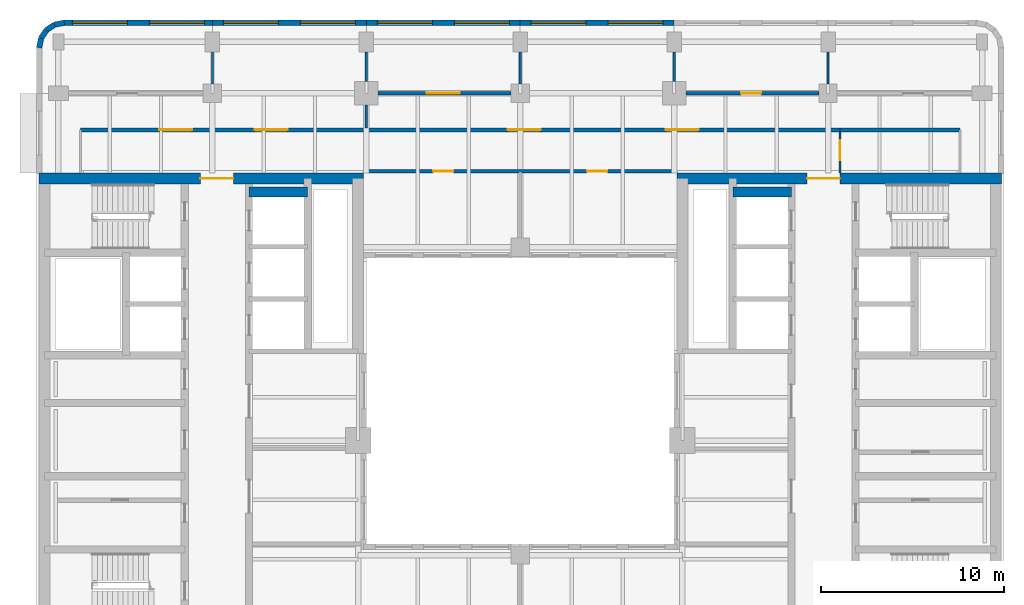
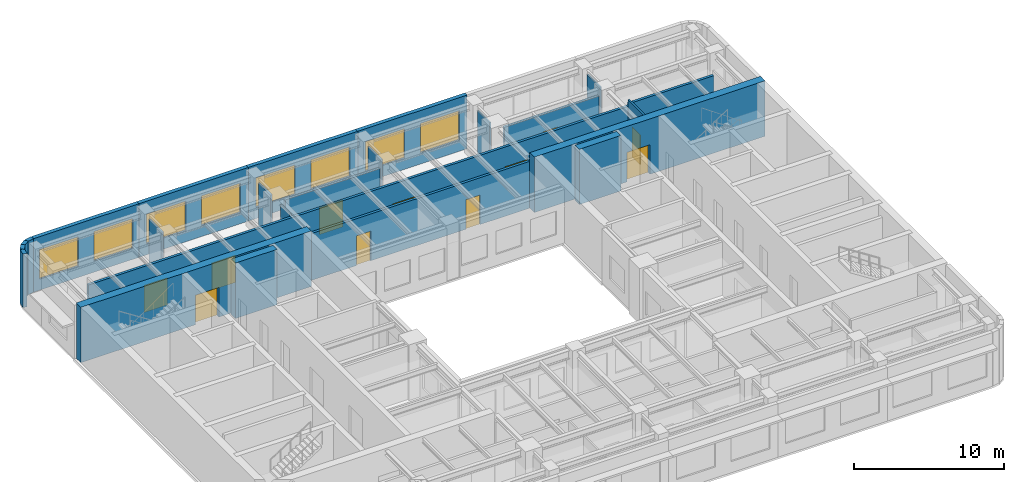
# One storey, part 7 of 11: 24 walls, 11 doors, 8 windows, 19 openings.
"""IFC4 building model written with IfcOpenShell, lengths in metres."""

from ifc_helpers import new_model, si_unit, direction, frame, frame_2d, origin, place, context, subcontext, project, spatial, rectangle, extrude, material, layer, layer_set, type_object, element, fill, save


model = new_model("IFC4")

# Units and contexts
model_context = context("Model", 3, precision=1e-05, world=origin(), true_north=direction((0.0, 1.0)))
body_context = subcontext(model_context, "Body", "Model", "MODEL_VIEW")
ifc_project = project(units=[si_unit("LENGTHUNIT", "METRE"), si_unit("AREAUNIT", "SQUARE_METRE"), si_unit("VOLUMEUNIT", "CUBIC_METRE"), si_unit("PLANEANGLEUNIT", "RADIAN"), si_unit("MASSUNIT", "GRAM", prefix="KILO")], contexts=[model_context])

# Site, building, storey
site_placement = place(None, origin())
site = spatial("IfcSite", under=ifc_project, at=site_placement, CompositionType="ELEMENT")
building_placement = place(site_placement, origin())
building = spatial("IfcBuilding", under=site, at=building_placement, Name="Claustro Exchange Tower", CompositionType="ELEMENT")
storey_placement = place(building_placement, frame((0.0, 0.0, 263.699951171875)))
storey = spatial("IfcBuildingStorey", under=building, at=storey_placement, Name="L60", CompositionType="ELEMENT", Elevation=263.699951171875)

# Walls
ifc_material_1 = material(Name="Laminated glass in aluminium frame", Category="aluminium")
ifc_layer_1 = layer(ifc_material_1, 0.1201171875)
ifc_layer_set_1 = layer_set([ifc_layer_1], Name="Laminated glass in aluminium frame")
wall_type_1 = type_object("IfcWallType", Name="P2 120 glazed partition", PredefinedType="PARTITIONING", material=ifc_layer_set_1)
wall_1_placement = place(storey_placement, frame((8.39990234375, 42.4990234375, 0.0), z_axis=(0.0, 0.0, 1.0), x_axis=(0.0, 1.0, 0.0)))
element("IfcWall", 1, at=wall_1_placement, inside=storey, type_object=wall_type_1, Name="Partition P2 L60", PredefinedType="PARTITIONING", context=body_context, shape_type="SweptSolid", body=[
    extrude(rectangle(XDim=1.751953125, YDim=0.1201171875, at=frame_2d((0.8759765625, 0.0))), origin(), (0.0, 0.0, 1.0), 3.989990234375),
])
wall_2_placement = place(storey_placement, frame((16.800048828125, 42.64892578125, 0.0), z_axis=(0.0, 0.0, 1.0), x_axis=(0.0, 1.0, 0.0)))
element("IfcWall", 2, at=wall_2_placement, inside=storey, type_object=wall_type_1, Name="Partition P2 L60", PredefinedType="PARTITIONING", context=body_context, shape_type="SweptSolid", body=[
    extrude(rectangle(XDim=1.60205078125, YDim=0.1201171875, at=frame_2d((0.801025390625, 0.0))), origin(), (0.0, 0.0, 1.0), 3.989990234375),
])
wall_3_placement = place(storey_placement, frame((25.199951171875, 42.4990234375, 0.0), z_axis=(0.0, 0.0, 1.0), x_axis=(0.0, 1.0, 0.0)))
element("IfcWall", 3, at=wall_3_placement, inside=storey, type_object=wall_type_1, Name="Partition P2 L60", PredefinedType="PARTITIONING", context=body_context, shape_type="SweptSolid", body=[
    extrude(rectangle(XDim=1.751953125, YDim=0.1201171875, at=frame_2d((0.8759765625, 0.0))), origin(), (0.0, 0.0, 1.0), 3.989990234375),
])
wall_4_placement = place(storey_placement, frame((33.60009765625, 42.64892578125, 0.0), z_axis=(0.0, 0.0, 1.0), x_axis=(0.0, 1.0, 0.0)))
element("IfcWall", 4, at=wall_4_placement, inside=storey, type_object=wall_type_1, Name="Partition P2 L60", PredefinedType="PARTITIONING", context=body_context, shape_type="SweptSolid", body=[
    extrude(rectangle(XDim=1.60205078125, YDim=0.1201171875, at=frame_2d((0.801025390625, 0.0))), origin(), (0.0, 0.0, 1.0), 3.989990234375),
])
wall_5_placement = place(storey_placement, frame((42.0, 42.4990234375, 0.0), z_axis=(0.0, 0.0, 1.0), x_axis=(0.0, 1.0, 0.0)))
element("IfcWall", 5, at=wall_5_placement, inside=storey, type_object=wall_type_1, Name="Partition P2 L60", PredefinedType="PARTITIONING", context=body_context, shape_type="SweptSolid", body=[
    extrude(rectangle(XDim=1.751953125, YDim=0.1201171875, at=frame_2d((0.8759765625, 0.0))), origin(), (0.0, 0.0, 1.0), 3.989990234375),
])
wall_6_placement = place(storey_placement, frame((16.800048828125, 40.097900390625, 0.0), z_axis=(0.0, 0.0, 1.0), x_axis=(0.0, 1.0, 0.0)))
element("IfcWall", 6, at=wall_6_placement, inside=storey, type_object=wall_type_1, Name="Partition P2 L60", PredefinedType="PARTITIONING", context=body_context, shape_type="SweptSolid", body=[
    extrude(rectangle(XDim=1.253173828125, YDim=0.1201171875, at=frame_2d((0.62646484375, 0.0))), origin(), (0.0, 0.0, 1.0), 3.989990234375),
])

# Wall, opening, door
wall_7_placement = place(storey_placement, frame((42.64990234375, 37.64794921875, 0.0), z_axis=(0.0, 0.0, 1.0), x_axis=(0.0, 1.0, 0.0)))
wall_7 = element("IfcWall", 7, at=wall_7_placement, inside=storey, type_object=wall_type_1, Name="Partition P2 L60", PredefinedType="PARTITIONING", context=body_context, shape_type="SweptSolid", body=[
    extrude(rectangle(XDim=2.254150390625, YDim=0.1201171875, at=frame_2d((1.126953125, 0.0))), origin(), (0.0, 0.0, 1.0), 4.35009765625),
])
opening_1_placement = place(wall_7_placement, frame((0.701904296875, 0.0, 0.0)))
opening_1 = element("IfcOpeningElement", 8, at=opening_1_placement, cuts=wall_7, Name="Opening D8", PredefinedType="OPENING", context=body_context, shape_type="SweptSolid", body=[
    extrude(rectangle(XDim=1.10009765625, YDim=2.39990234375, at=frame_2d((0.550048828125, 1.199951171875))), frame((0.0, 0.070068359375, 0.0), z_axis=(0.0, -1.0, 0.0), x_axis=(1.0, 0.0, 0.0)), (0.0, 0.0, 1.0), 0.14013671875),
])
ifc_material_2 = material(Name="Timber door, walnut veneer", Category="wood")
door_type_1 = type_object("IfcDoorType", Name="D8 1100 x 2400 executive door", OperationType="SINGLE_SWING_LEFT", PredefinedType="DOOR", material=ifc_material_2)
door_1_placement = place(opening_1_placement, frame((1.10009765625, 0.0, 0.0), z_axis=(0.0, 0.0, 1.0), x_axis=(-1.0, 0.0, 0.0)))
door_1 = element("IfcDoor", 9, at=door_1_placement, inside=storey, type_object=door_type_1, Name="Door D8 L60", OperationType="SINGLE_SWING_LEFT", OverallHeight=2.39990234375, OverallWidth=1.10009765625, PredefinedType="DOOR", context=body_context, shape_type="SweptSolid", body=[
    extrude(rectangle(XDim=1.10009765625, YDim=2.39990234375, at=frame_2d((0.550048828125, 1.199951171875))), frame((0.0, 0.02490234375, 0.0), z_axis=(0.0, -1.0, 0.0), x_axis=(1.0, 0.0, 0.0)), (0.0, 0.0, 1.0), 0.050048828125),
])
fill(opening_1, door_1)

ifc_material_3 = material(Name="Twin-skin gypsum board on steel studs, mineral wool", Category="steel")
ifc_layer_2 = layer(ifc_material_3, 0.199951171875)
ifc_layer_set_2 = layer_set([ifc_layer_2], Name="Twin-skin gypsum board on steel studs, mineral wool")
wall_type_2 = type_object("IfcWallType", Name="P3 200 acoustic partition", PredefinedType="PARTITIONING", material=ifc_layer_set_2)
wall_8_placement = place(storey_placement, frame((17.448974609375, 42.0, 0.0), z_axis=(0.0, 0.0, 1.0), x_axis=(1.0, 0.0, 0.0)))
wall_8 = element("IfcWall", 10, at=wall_8_placement, inside=storey, type_object=wall_type_2, Name="Partition P3 L60", PredefinedType="PARTITIONING", context=body_context, shape_type="SweptSolid", body=[
    extrude(rectangle(XDim=7.251953125, YDim=0.199951171875, at=frame_2d((3.6259765625, 0.0))), origin(), (0.0, 0.0, 1.0), 3.800048828125),
])
opening_2_placement = place(wall_8_placement, frame((2.65087890625, 0.0, 0.0)))
opening_2 = element("IfcOpeningElement", 11, at=opening_2_placement, cuts=wall_8, Name="Opening D2", PredefinedType="OPENING", context=body_context, shape_type="SweptSolid", body=[
    extrude(rectangle(XDim=1.800048828125, YDim=2.199951171875, at=frame_2d((0.89990234375, 1.10009765625))), frame((0.0, 0.10986328125, 0.0), z_axis=(0.0, -1.0, 0.0), x_axis=(1.0, 0.0, 0.0)), (0.0, 0.0, 1.0), 0.219970703125),
])
ifc_material_4 = material(Name="Timber door, oak veneer", Category="wood")
door_type_2 = type_object("IfcDoorType", Name="D2 1800 x 2200 double door", OperationType="DOUBLE_DOOR_SINGLE_SWING", PredefinedType="DOOR", material=ifc_material_4)
door_2_placement = place(opening_2_placement, origin())
door_2 = element("IfcDoor", 12, at=door_2_placement, inside=storey, type_object=door_type_2, Name="Double door D2 L60", OperationType="DOUBLE_DOOR_SINGLE_SWING", OverallHeight=2.199951171875, OverallWidth=1.800048828125, PredefinedType="DOOR", context=body_context, shape_type="SweptSolid", body=[
    extrude(rectangle(XDim=1.800048828125, YDim=2.199951171875, at=frame_2d((0.89990234375, 1.10009765625))), frame((0.0, 0.02490234375, 0.0), z_axis=(0.0, -1.0, 0.0), x_axis=(1.0, 0.0, 0.0)), (0.0, 0.0, 1.0), 0.050048828125),
])
fill(opening_2, door_2)

wall_9_placement = place(storey_placement, frame((34.2490234375, 42.0, 0.0), z_axis=(0.0, 0.0, 1.0), x_axis=(1.0, 0.0, 0.0)))
wall_9 = element("IfcWall", 13, at=wall_9_placement, inside=storey, type_object=wall_type_2, Name="Partition P3 L60", PredefinedType="PARTITIONING", context=body_context, shape_type="SweptSolid", body=[
    extrude(rectangle(XDim=7.251953125, YDim=0.199951171875, at=frame_2d((3.6259765625, 0.0))), origin(), (0.0, 0.0, 1.0), 3.800048828125),
])
opening_3_placement = place(wall_9_placement, frame((3.0009765625, 0.0, 0.0)))
opening_3 = element("IfcOpeningElement", 14, at=opening_3_placement, cuts=wall_9, Name="Opening D8", PredefinedType="OPENING", context=body_context, shape_type="SweptSolid", body=[
    extrude(rectangle(XDim=1.10009765625, YDim=2.39990234375, at=frame_2d((0.550048828125, 1.199951171875))), frame((0.0, 0.10986328125, 0.0), z_axis=(0.0, -1.0, 0.0), x_axis=(1.0, 0.0, 0.0)), (0.0, 0.0, 1.0), 0.219970703125),
])
door_3_placement = place(opening_3_placement, origin())
door_3 = element("IfcDoor", 15, at=door_3_placement, inside=storey, type_object=door_type_1, Name="Door D8 L60", OperationType="SINGLE_SWING_RIGHT", OverallHeight=2.39990234375, OverallWidth=1.10009765625, PredefinedType="DOOR", context=body_context, shape_type="SweptSolid", body=[
    extrude(rectangle(XDim=1.10009765625, YDim=2.39990234375, at=frame_2d((0.550048828125, 1.199951171875))), frame((0.0, 0.02490234375, 0.0), z_axis=(0.0, -1.0, 0.0), x_axis=(1.0, 0.0, 0.0)), (0.0, 0.0, 1.0), 0.050048828125),
])
fill(opening_3, door_3)

# Wall, openings, doors
wall_10_placement = place(storey_placement, frame((1.199951171875, 40.0, 0.0), z_axis=(0.0, 0.0, 1.0), x_axis=(1.0, 0.0, 0.0)))
wall_10 = element("IfcWall", 16, at=wall_10_placement, inside=storey, type_object=wall_type_2, Name="Partition P3 L60", PredefinedType="PARTITIONING", context=body_context, shape_type="SweptSolid", body=[
    extrude(rectangle(XDim=41.4521484375, YDim=0.199951171875, at=frame_2d((20.72607421875, 0.0))), origin(), (0.0, 0.0, 1.0), 3.800048828125),
])
opening_4_placement = place(wall_10_placement, frame((4.300048828125, 0.0, 0.0)))
opening_4 = element("IfcOpeningElement", 17, at=opening_4_placement, cuts=wall_10, Name="Opening D2", PredefinedType="OPENING", context=body_context, shape_type="SweptSolid", body=[
    extrude(rectangle(XDim=1.800048828125, YDim=2.199951171875, at=frame_2d((0.89990234375, 1.10009765625))), frame((0.0, 0.10986328125, 0.0), z_axis=(0.0, -1.0, 0.0), x_axis=(1.0, 0.0, 0.0)), (0.0, 0.0, 1.0), 0.219970703125),
])
opening_5_placement = place(wall_10_placement, frame((9.5, 0.0, 0.0)))
opening_5 = element("IfcOpeningElement", 18, at=opening_5_placement, cuts=wall_10, Name="Opening D2", PredefinedType="OPENING", context=body_context, shape_type="SweptSolid", body=[
    extrude(rectangle(XDim=1.800048828125, YDim=2.199951171875, at=frame_2d((0.89990234375, 1.10009765625))), frame((0.0, 0.10986328125, 0.0), z_axis=(0.0, -1.0, 0.0), x_axis=(1.0, 0.0, 0.0)), (0.0, 0.0, 1.0), 0.219970703125),
])
opening_6_placement = place(wall_10_placement, frame((23.316650390625, 0.0, 0.0)))
opening_6 = element("IfcOpeningElement", 19, at=opening_6_placement, cuts=wall_10, Name="Opening D2", PredefinedType="OPENING", context=body_context, shape_type="SweptSolid", body=[
    extrude(rectangle(XDim=1.800048828125, YDim=2.199951171875, at=frame_2d((0.89990234375, 1.10009765625))), frame((0.0, 0.10986328125, 0.0), z_axis=(0.0, -1.0, 0.0), x_axis=(1.0, 0.0, 0.0)), (0.0, 0.0, 1.0), 0.219970703125),
])
opening_7_placement = place(wall_10_placement, frame((31.933349609375, 0.0, 0.0)))
opening_7 = element("IfcOpeningElement", 20, at=opening_7_placement, cuts=wall_10, Name="Opening D2", PredefinedType="OPENING", context=body_context, shape_type="SweptSolid", body=[
    extrude(rectangle(XDim=1.800048828125, YDim=2.199951171875, at=frame_2d((0.89990234375, 1.10009765625))), frame((0.0, 0.10986328125, 0.0), z_axis=(0.0, -1.0, 0.0), x_axis=(1.0, 0.0, 0.0)), (0.0, 0.0, 1.0), 0.219970703125),
])
door_4_placement = place(opening_4_placement, origin())
door_4 = element("IfcDoor", 21, at=door_4_placement, inside=storey, type_object=door_type_2, Name="Double door D2 L60", OperationType="DOUBLE_DOOR_SINGLE_SWING", OverallHeight=2.199951171875, OverallWidth=1.800048828125, PredefinedType="DOOR", context=body_context, shape_type="SweptSolid", body=[
    extrude(rectangle(XDim=1.800048828125, YDim=2.199951171875, at=frame_2d((0.89990234375, 1.10009765625))), frame((0.0, 0.02490234375, 0.0), z_axis=(0.0, -1.0, 0.0), x_axis=(1.0, 0.0, 0.0)), (0.0, 0.0, 1.0), 0.050048828125),
])
fill(opening_4, door_4)
door_5_placement = place(opening_5_placement, origin())
door_5 = element("IfcDoor", 22, at=door_5_placement, inside=storey, type_object=door_type_2, Name="Double door D2 L60", OperationType="DOUBLE_DOOR_SINGLE_SWING", OverallHeight=2.199951171875, OverallWidth=1.800048828125, PredefinedType="DOOR", context=body_context, shape_type="SweptSolid", body=[
    extrude(rectangle(XDim=1.800048828125, YDim=2.199951171875, at=frame_2d((0.89990234375, 1.10009765625))), frame((0.0, 0.02490234375, 0.0), z_axis=(0.0, -1.0, 0.0), x_axis=(1.0, 0.0, 0.0)), (0.0, 0.0, 1.0), 0.050048828125),
])
fill(opening_5, door_5)
door_6_placement = place(opening_6_placement, origin())
door_6 = element("IfcDoor", 23, at=door_6_placement, inside=storey, type_object=door_type_2, Name="Double door D2 L60", OperationType="DOUBLE_DOOR_SINGLE_SWING", OverallHeight=2.199951171875, OverallWidth=1.800048828125, PredefinedType="DOOR", context=body_context, shape_type="SweptSolid", body=[
    extrude(rectangle(XDim=1.800048828125, YDim=2.199951171875, at=frame_2d((0.89990234375, 1.10009765625))), frame((0.0, 0.02490234375, 0.0), z_axis=(0.0, -1.0, 0.0), x_axis=(1.0, 0.0, 0.0)), (0.0, 0.0, 1.0), 0.050048828125),
])
fill(opening_6, door_6)
door_7_placement = place(opening_7_placement, origin())
door_7 = element("IfcDoor", 24, at=door_7_placement, inside=storey, type_object=door_type_2, Name="Double door D2 L60", OperationType="DOUBLE_DOOR_SINGLE_SWING", OverallHeight=2.199951171875, OverallWidth=1.800048828125, PredefinedType="DOOR", context=body_context, shape_type="SweptSolid", body=[
    extrude(rectangle(XDim=1.800048828125, YDim=2.199951171875, at=frame_2d((0.89990234375, 1.10009765625))), frame((0.0, 0.02490234375, 0.0), z_axis=(0.0, -1.0, 0.0), x_axis=(1.0, 0.0, 0.0)), (0.0, 0.0, 1.0), 0.050048828125),
])
fill(opening_7, door_7)

# Wall
wall_11_placement = place(storey_placement, frame((42.64794921875, 40.0, 0.0), z_axis=(0.0, 0.0, 1.0), x_axis=(1.0, 0.0, 0.0)))
element("IfcWall", 25, at=wall_11_placement, inside=storey, type_object=wall_type_2, Name="Partition P3 L60", PredefinedType="PARTITIONING", context=body_context, shape_type="SweptSolid", body=[
    extrude(rectangle(XDim=6.552001953125, YDim=0.199951171875, at=frame_2d((3.27587890625, 0.0))), origin(), (0.0, 0.0, 1.0), 3.989990234375),
])

# Wall, openings, doors
wall_12_placement = place(storey_placement, frame((16.64990234375, 37.75, 0.0), z_axis=(0.0, 0.0, 1.0), x_axis=(1.0, 0.0, 0.0)))
wall_12 = element("IfcWall", 26, at=wall_12_placement, inside=storey, type_object=wall_type_2, Name="Partition P3 L60", PredefinedType="PARTITIONING", context=body_context, shape_type="SweptSolid", body=[
    extrude(rectangle(XDim=17.10009765625, YDim=0.199951171875, at=frame_2d((8.550048828125, 0.0))), origin(), (0.0, 0.0, 1.0), 3.800048828125),
])
opening_8_placement = place(wall_12_placement, frame((3.80029296875, 0.0, 0.0)))
opening_8 = element("IfcOpeningElement", 27, at=opening_8_placement, cuts=wall_12, Name="Opening D8", PredefinedType="OPENING", context=body_context, shape_type="SweptSolid", body=[
    extrude(rectangle(XDim=1.10009765625, YDim=2.39990234375, at=frame_2d((0.550048828125, 1.199951171875))), frame((0.0, 0.10986328125, 0.0), z_axis=(0.0, -1.0, 0.0), x_axis=(1.0, 0.0, 0.0)), (0.0, 0.0, 1.0), 0.219970703125),
])
opening_9_placement = place(wall_12_placement, frame((12.2001953125, 0.0, 0.0)))
opening_9 = element("IfcOpeningElement", 28, at=opening_9_placement, cuts=wall_12, Name="Opening D8", PredefinedType="OPENING", context=body_context, shape_type="SweptSolid", body=[
    extrude(rectangle(XDim=1.10009765625, YDim=2.39990234375, at=frame_2d((0.550048828125, 1.199951171875))), frame((0.0, 0.10986328125, 0.0), z_axis=(0.0, -1.0, 0.0), x_axis=(1.0, 0.0, 0.0)), (0.0, 0.0, 1.0), 0.219970703125),
])
door_8_placement = place(opening_8_placement, frame((1.10009765625, 0.0, 0.0), z_axis=(0.0, 0.0, 1.0), x_axis=(-1.0, 0.0, 0.0)))
door_8 = element("IfcDoor", 29, at=door_8_placement, inside=storey, type_object=door_type_1, Name="Door D8 L60", OperationType="SINGLE_SWING_LEFT", OverallHeight=2.39990234375, OverallWidth=1.10009765625, PredefinedType="DOOR", context=body_context, shape_type="SweptSolid", body=[
    extrude(rectangle(XDim=1.10009765625, YDim=2.39990234375, at=frame_2d((0.550048828125, 1.199951171875))), frame((0.0, 0.02490234375, 0.0), z_axis=(0.0, -1.0, 0.0), x_axis=(1.0, 0.0, 0.0)), (0.0, 0.0, 1.0), 0.050048828125),
])
fill(opening_8, door_8)
door_9_placement = place(opening_9_placement, frame((1.10009765625, 0.0, 0.0), z_axis=(0.0, 0.0, 1.0), x_axis=(-1.0, 0.0, 0.0)))
door_9 = element("IfcDoor", 30, at=door_9_placement, inside=storey, type_object=door_type_1, Name="Door D8 L60", OperationType="SINGLE_SWING_LEFT", OverallHeight=2.39990234375, OverallWidth=1.10009765625, PredefinedType="DOOR", context=body_context, shape_type="SweptSolid", body=[
    extrude(rectangle(XDim=1.10009765625, YDim=2.39990234375, at=frame_2d((0.550048828125, 1.199951171875))), frame((0.0, 0.02490234375, 0.0), z_axis=(0.0, -1.0, 0.0), x_axis=(1.0, 0.0, 0.0)), (0.0, 0.0, 1.0), 0.050048828125),
])
fill(opening_9, door_9)

# Walls
ifc_material_5 = material(Name="Concrete HA-40 (C40/50), precast, white cement, acid-etched", Category="concrete")
ifc_layer_3 = layer(ifc_material_5, 0.300048828125)
ifc_layer_set_3 = layer_set([ifc_layer_3], Name="Concrete HA-40 (C40/50), precast, white cement, acid-etched")
wall_type_3 = type_object("IfcWallType", Name="PC1 300 precast concrete pier panel", PredefinedType="SOLIDWALL", material=ifc_layer_set_3)
wall_13_placement = place(storey_placement, frame((-1.050048828125, 44.485107421875, 0.0), z_axis=(0.0, 0.0, 1.0), x_axis=(0.195073962632, 0.980788534345, 0.0)))
element("IfcWall", 31, at=wall_13_placement, inside=storey, type_object=wall_type_3, Name="Precast pier panel PC1 L60", PredefinedType="SOLIDWALL", context=body_context, shape_type="SweptSolid", body=[
    extrude(rectangle(XDim=0.540771484375, YDim=0.300048828125, at=frame_2d((0.2705078125, 0.0))), origin(), (0.0, 0.0, 1.0), 4.35009765625),
])
wall_14_placement = place(storey_placement, frame((-0.944580078125, 45.015380859375, 0.0), z_axis=(0.0, 0.0, 1.0), x_axis=(0.55534295404, 0.831621430339, 0.0)))
element("IfcWall", 32, at=wall_14_placement, inside=storey, type_object=wall_type_3, Name="Precast pier panel PC1 L60", PredefinedType="SOLIDWALL", context=body_context, shape_type="SweptSolid", body=[
    extrude(rectangle(XDim=0.52587890625, YDim=0.300048828125, at=frame_2d((0.262939453125, 0.0))), origin(), (0.0, 0.0, 1.0), 4.35009765625),
])
wall_15_placement = place(storey_placement, frame((-0.652587890625, 45.45263671875, 0.0), z_axis=(0.0, 0.0, 1.0), x_axis=(0.831692711774, 0.555236195849, 0.0)))
element("IfcWall", 33, at=wall_15_placement, inside=storey, type_object=wall_type_3, Name="Precast pier panel PC1 L60", PredefinedType="SOLIDWALL", context=body_context, shape_type="SweptSolid", body=[
    extrude(rectangle(XDim=0.525390625, YDim=0.300048828125, at=frame_2d((0.2626953125, 0.0))), origin(), (0.0, 0.0, 1.0), 4.35009765625),
])
wall_16_placement = place(storey_placement, frame((-0.215576171875, 45.744384765625, 0.0), z_axis=(0.0, 0.0, 1.0), x_axis=(0.980702050465, 0.1955082817, 0.0)))
element("IfcWall", 34, at=wall_16_placement, inside=storey, type_object=wall_type_3, Name="Precast pier panel PC1 L60", PredefinedType="SOLIDWALL", context=body_context, shape_type="SweptSolid", body=[
    extrude(rectangle(XDim=0.540771484375, YDim=0.300048828125, at=frame_2d((0.2705078125, 0.0))), origin(), (0.0, 0.0, 1.0), 4.35009765625),
])

# Wall, openings, windows
wall_17_placement = place(storey_placement, frame((0.314697265625, 45.85009765625, 0.0), z_axis=(0.0, 0.0, 1.0), x_axis=(1.0, 0.0, 0.0)))
wall_17 = element("IfcWall", 35, at=wall_17_placement, inside=storey, type_object=wall_type_3, Name="Precast pier panel PC1 L60", PredefinedType="SOLIDWALL", context=body_context, shape_type="SweptSolid", body=[
    extrude(rectangle(XDim=8.085205078125, YDim=0.300048828125, at=frame_2d((4.04248046875, 0.0))), origin(), (0.0, 0.0, 1.0), 4.35009765625),
])
opening_10_placement = place(wall_17_placement, frame((0.442626953125, 0.0, 0.89990234375)))
opening_10 = element("IfcOpeningElement", 36, at=opening_10_placement, cuts=wall_17, Name="Opening W3", PredefinedType="OPENING", context=body_context, shape_type="SweptSolid", body=[
    extrude(rectangle(XDim=3.0, YDim=2.39990234375, at=frame_2d((1.5, 1.199951171875))), frame((0.0, 0.159912109375, 0.0), z_axis=(0.0, -1.0, 0.0), x_axis=(1.0, 0.0, 0.0)), (0.0, 0.0, 1.0), 0.320068359375),
])
opening_11_placement = place(wall_17_placement, frame((4.642578125, 0.0, 0.89990234375)))
opening_11 = element("IfcOpeningElement", 37, at=opening_11_placement, cuts=wall_17, Name="Opening W3", PredefinedType="OPENING", context=body_context, shape_type="SweptSolid", body=[
    extrude(rectangle(XDim=3.0, YDim=2.39990234375, at=frame_2d((1.5, 1.199951171875))), frame((0.0, 0.159912109375, 0.0), z_axis=(0.0, -1.0, 0.0), x_axis=(1.0, 0.0, 0.0)), (0.0, 0.0, 1.0), 0.320068359375),
])
ifc_material_6 = material(Name="Aluminium frame, clear double glazing", Category="aluminium")
window_type = type_object("IfcWindowType", Name="W3 3000 x 2400 window", PartitioningType="SINGLE_PANEL", PredefinedType="WINDOW", material=ifc_material_6)
window_1_placement = place(opening_10_placement, origin())
window_1 = element("IfcWindow", 38, at=window_1_placement, inside=storey, type_object=window_type, Name="Window W3 L60", OverallHeight=2.39990234375, OverallWidth=3.0, PartitioningType="SINGLE_PANEL", PredefinedType="WINDOW", context=body_context, shape_type="SweptSolid", body=[
    extrude(rectangle(XDim=3.0, YDim=2.39990234375, at=frame_2d((1.5, 1.199951171875))), frame((0.0, 0.030029296875, 0.0), z_axis=(0.0, -1.0, 0.0), x_axis=(1.0, 0.0, 0.0)), (0.0, 0.0, 1.0), 0.06005859375),
])
fill(opening_10, window_1)
window_2_placement = place(opening_11_placement, origin())
window_2 = element("IfcWindow", 39, at=window_2_placement, inside=storey, type_object=window_type, Name="Window W3 L60", OverallHeight=2.39990234375, OverallWidth=3.0, PartitioningType="SINGLE_PANEL", PredefinedType="WINDOW", context=body_context, shape_type="SweptSolid", body=[
    extrude(rectangle(XDim=3.0, YDim=2.39990234375, at=frame_2d((1.5, 1.199951171875))), frame((0.0, 0.030029296875, 0.0), z_axis=(0.0, -1.0, 0.0), x_axis=(1.0, 0.0, 0.0)), (0.0, 0.0, 1.0), 0.06005859375),
])
fill(opening_11, window_2)

wall_18_placement = place(storey_placement, frame((8.39990234375, 45.85009765625, 0.0), z_axis=(0.0, 0.0, 1.0), x_axis=(1.0, 0.0, 0.0)))
wall_18 = element("IfcWall", 40, at=wall_18_placement, inside=storey, type_object=wall_type_3, Name="Precast pier panel PC1 L60", PredefinedType="SOLIDWALL", context=body_context, shape_type="SweptSolid", body=[
    extrude(rectangle(XDim=8.400146484375, YDim=0.300048828125, at=frame_2d((4.2001953125, 0.0))), origin(), (0.0, 0.0, 1.0), 4.35009765625),
])
opening_12_placement = place(wall_18_placement, frame((0.60009765625, 0.0, 0.89990234375)))
opening_12 = element("IfcOpeningElement", 41, at=opening_12_placement, cuts=wall_18, Name="Opening W3", PredefinedType="OPENING", context=body_context, shape_type="SweptSolid", body=[
    extrude(rectangle(XDim=3.0, YDim=2.39990234375, at=frame_2d((1.5, 1.199951171875))), frame((0.0, 0.159912109375, 0.0), z_axis=(0.0, -1.0, 0.0), x_axis=(1.0, 0.0, 0.0)), (0.0, 0.0, 1.0), 0.320068359375),
])
opening_13_placement = place(wall_18_placement, frame((4.800048828125, 0.0, 0.89990234375)))
opening_13 = element("IfcOpeningElement", 42, at=opening_13_placement, cuts=wall_18, Name="Opening W3", PredefinedType="OPENING", context=body_context, shape_type="SweptSolid", body=[
    extrude(rectangle(XDim=3.0, YDim=2.39990234375, at=frame_2d((1.5, 1.199951171875))), frame((0.0, 0.159912109375, 0.0), z_axis=(0.0, -1.0, 0.0), x_axis=(1.0, 0.0, 0.0)), (0.0, 0.0, 1.0), 0.320068359375),
])
window_3_placement = place(opening_12_placement, origin())
window_3 = element("IfcWindow", 43, at=window_3_placement, inside=storey, type_object=window_type, Name="Window W3 L60", OverallHeight=2.39990234375, OverallWidth=3.0, PartitioningType="SINGLE_PANEL", PredefinedType="WINDOW", context=body_context, shape_type="SweptSolid", body=[
    extrude(rectangle(XDim=3.0, YDim=2.39990234375, at=frame_2d((1.5, 1.199951171875))), frame((0.0, 0.030029296875, 0.0), z_axis=(0.0, -1.0, 0.0), x_axis=(1.0, 0.0, 0.0)), (0.0, 0.0, 1.0), 0.06005859375),
])
fill(opening_12, window_3)
window_4_placement = place(opening_13_placement, origin())
window_4 = element("IfcWindow", 44, at=window_4_placement, inside=storey, type_object=window_type, Name="Window W3 L60", OverallHeight=2.39990234375, OverallWidth=3.0, PartitioningType="SINGLE_PANEL", PredefinedType="WINDOW", context=body_context, shape_type="SweptSolid", body=[
    extrude(rectangle(XDim=3.0, YDim=2.39990234375, at=frame_2d((1.5, 1.199951171875))), frame((0.0, 0.030029296875, 0.0), z_axis=(0.0, -1.0, 0.0), x_axis=(1.0, 0.0, 0.0)), (0.0, 0.0, 1.0), 0.06005859375),
])
fill(opening_13, window_4)

wall_19_placement = place(storey_placement, frame((16.800048828125, 45.85009765625, 0.0), z_axis=(0.0, 0.0, 1.0), x_axis=(1.0, 0.0, 0.0)))
wall_19 = element("IfcWall", 45, at=wall_19_placement, inside=storey, type_object=wall_type_3, Name="Precast pier panel PC1 L60", PredefinedType="SOLIDWALL", context=body_context, shape_type="SweptSolid", body=[
    extrude(rectangle(XDim=8.39990234375, YDim=0.300048828125, at=frame_2d((4.199951171875, 0.0))), origin(), (0.0, 0.0, 1.0), 4.35009765625),
])
opening_14_placement = place(wall_19_placement, frame((0.60009765625, 0.0, 0.89990234375)))
opening_14 = element("IfcOpeningElement", 46, at=opening_14_placement, cuts=wall_19, Name="Opening W3", PredefinedType="OPENING", context=body_context, shape_type="SweptSolid", body=[
    extrude(rectangle(XDim=3.0, YDim=2.39990234375, at=frame_2d((1.5, 1.199951171875))), frame((0.0, 0.159912109375, 0.0), z_axis=(0.0, -1.0, 0.0), x_axis=(1.0, 0.0, 0.0)), (0.0, 0.0, 1.0), 0.320068359375),
])
opening_15_placement = place(wall_19_placement, frame((4.800048828125, 0.0, 0.89990234375)))
opening_15 = element("IfcOpeningElement", 47, at=opening_15_placement, cuts=wall_19, Name="Opening W3", PredefinedType="OPENING", context=body_context, shape_type="SweptSolid", body=[
    extrude(rectangle(XDim=3.0, YDim=2.39990234375, at=frame_2d((1.5, 1.199951171875))), frame((0.0, 0.159912109375, 0.0), z_axis=(0.0, -1.0, 0.0), x_axis=(1.0, 0.0, 0.0)), (0.0, 0.0, 1.0), 0.320068359375),
])
window_5_placement = place(opening_14_placement, origin())
window_5 = element("IfcWindow", 48, at=window_5_placement, inside=storey, type_object=window_type, Name="Window W3 L60", OverallHeight=2.39990234375, OverallWidth=3.0, PartitioningType="SINGLE_PANEL", PredefinedType="WINDOW", context=body_context, shape_type="SweptSolid", body=[
    extrude(rectangle(XDim=3.0, YDim=2.39990234375, at=frame_2d((1.5, 1.199951171875))), frame((0.0, 0.030029296875, 0.0), z_axis=(0.0, -1.0, 0.0), x_axis=(1.0, 0.0, 0.0)), (0.0, 0.0, 1.0), 0.06005859375),
])
fill(opening_14, window_5)
window_6_placement = place(opening_15_placement, origin())
window_6 = element("IfcWindow", 49, at=window_6_placement, inside=storey, type_object=window_type, Name="Window W3 L60", OverallHeight=2.39990234375, OverallWidth=3.0, PartitioningType="SINGLE_PANEL", PredefinedType="WINDOW", context=body_context, shape_type="SweptSolid", body=[
    extrude(rectangle(XDim=3.0, YDim=2.39990234375, at=frame_2d((1.5, 1.199951171875))), frame((0.0, 0.030029296875, 0.0), z_axis=(0.0, -1.0, 0.0), x_axis=(1.0, 0.0, 0.0)), (0.0, 0.0, 1.0), 0.06005859375),
])
fill(opening_15, window_6)

wall_20_placement = place(storey_placement, frame((25.199951171875, 45.85009765625, 0.0), z_axis=(0.0, 0.0, 1.0), x_axis=(1.0, 0.0, 0.0)))
wall_20 = element("IfcWall", 50, at=wall_20_placement, inside=storey, type_object=wall_type_3, Name="Precast pier panel PC1 L60", PredefinedType="SOLIDWALL", context=body_context, shape_type="SweptSolid", body=[
    extrude(rectangle(XDim=8.400146484375, YDim=0.300048828125, at=frame_2d((4.2001953125, 0.0))), origin(), (0.0, 0.0, 1.0), 4.35009765625),
])
opening_16_placement = place(wall_20_placement, frame((0.60009765625, 0.0, 0.89990234375)))
opening_16 = element("IfcOpeningElement", 51, at=opening_16_placement, cuts=wall_20, Name="Opening W3", PredefinedType="OPENING", context=body_context, shape_type="SweptSolid", body=[
    extrude(rectangle(XDim=3.0, YDim=2.39990234375, at=frame_2d((1.5, 1.199951171875))), frame((0.0, 0.159912109375, 0.0), z_axis=(0.0, -1.0, 0.0), x_axis=(1.0, 0.0, 0.0)), (0.0, 0.0, 1.0), 0.320068359375),
])
opening_17_placement = place(wall_20_placement, frame((4.800048828125, 0.0, 0.89990234375)))
opening_17 = element("IfcOpeningElement", 52, at=opening_17_placement, cuts=wall_20, Name="Opening W3", PredefinedType="OPENING", context=body_context, shape_type="SweptSolid", body=[
    extrude(rectangle(XDim=3.0, YDim=2.39990234375, at=frame_2d((1.5, 1.199951171875))), frame((0.0, 0.159912109375, 0.0), z_axis=(0.0, -1.0, 0.0), x_axis=(1.0, 0.0, 0.0)), (0.0, 0.0, 1.0), 0.320068359375),
])
window_7_placement = place(opening_16_placement, origin())
window_7 = element("IfcWindow", 53, at=window_7_placement, inside=storey, type_object=window_type, Name="Window W3 L60", OverallHeight=2.39990234375, OverallWidth=3.0, PartitioningType="SINGLE_PANEL", PredefinedType="WINDOW", context=body_context, shape_type="SweptSolid", body=[
    extrude(rectangle(XDim=3.0, YDim=2.39990234375, at=frame_2d((1.5, 1.199951171875))), frame((0.0, 0.030029296875, 0.0), z_axis=(0.0, -1.0, 0.0), x_axis=(1.0, 0.0, 0.0)), (0.0, 0.0, 1.0), 0.06005859375),
])
fill(opening_16, window_7)
window_8_placement = place(opening_17_placement, origin())
window_8 = element("IfcWindow", 54, at=window_8_placement, inside=storey, type_object=window_type, Name="Window W3 L60", OverallHeight=2.39990234375, OverallWidth=3.0, PartitioningType="SINGLE_PANEL", PredefinedType="WINDOW", context=body_context, shape_type="SweptSolid", body=[
    extrude(rectangle(XDim=3.0, YDim=2.39990234375, at=frame_2d((1.5, 1.199951171875))), frame((0.0, 0.030029296875, 0.0), z_axis=(0.0, -1.0, 0.0), x_axis=(1.0, 0.0, 0.0)), (0.0, 0.0, 1.0), 0.06005859375),
])
fill(opening_17, window_8)

# Wall, opening, door
ifc_material_7 = material(Name="Concrete HA-50 (C50/60)", Category="concrete")
ifc_layer_4 = layer(ifc_material_7, 0.60009765625)
ifc_layer_set_4 = layer_set([ifc_layer_4], Name="Concrete HA-50 (C50/60)")
wall_type_4 = type_object("IfcWallType", Name="SW3 600 core shear wall", PredefinedType="SHEAR", material=ifc_layer_set_4)
wall_21_placement = place(storey_placement, frame((-1.050048828125, 37.35009765625, 0.0), z_axis=(0.0, 0.0, 1.0), x_axis=(1.0, 0.0, 0.0)))
wall_21 = element("IfcWall", 55, at=wall_21_placement, inside=storey, type_object=wall_type_4, Name="Core wall SW3 W core N face L60", PredefinedType="SHEAR", context=body_context, shape_type="SweptSolid", body=[
    extrude(rectangle(XDim=17.699951171875, YDim=0.60009765625, at=frame_2d((8.85009765625, 0.0))), origin(), (0.0, 0.0, 1.0), 4.5),
])
opening_18_placement = place(wall_21_placement, frame((8.800048828125, 0.0, 0.0)))
opening_18 = element("IfcOpeningElement", 56, at=opening_18_placement, cuts=wall_21, Name="Opening D3", PredefinedType="OPENING", context=body_context, shape_type="SweptSolid", body=[
    extrude(rectangle(XDim=1.800048828125, YDim=2.39990234375, at=frame_2d((0.89990234375, 1.199951171875))), frame((0.0, 0.31005859375, 0.0), z_axis=(0.0, -1.0, 0.0), x_axis=(1.0, 0.0, 0.0)), (0.0, 0.0, 1.0), 0.6201171875),
])
ifc_material_8 = material(Name="Steel fire door, painted", Category="steel")
door_type_3 = type_object("IfcDoorType", Name="D3 1800 x 2400 fire-rated lobby double door", OperationType="DOUBLE_DOOR_SINGLE_SWING", PredefinedType="DOOR", material=ifc_material_8)
door_10_placement = place(opening_18_placement, origin())
door_10 = element("IfcDoor", 57, at=door_10_placement, inside=storey, type_object=door_type_3, Name="Lift lobby door D3 L60", OperationType="DOUBLE_DOOR_SINGLE_SWING", OverallHeight=2.39990234375, OverallWidth=1.800048828125, PredefinedType="DOOR", context=body_context, shape_type="SweptSolid", body=[
    extrude(rectangle(XDim=1.800048828125, YDim=2.39990234375, at=frame_2d((0.89990234375, 1.199951171875))), frame((0.0, 0.02490234375, 0.0), z_axis=(0.0, -1.0, 0.0), x_axis=(1.0, 0.0, 0.0)), (0.0, 0.0, 1.0), 0.050048828125),
])
fill(opening_18, door_10)

wall_22_placement = place(storey_placement, frame((33.75, 37.35009765625, 0.0), z_axis=(0.0, 0.0, 1.0), x_axis=(1.0, 0.0, 0.0)))
wall_22 = element("IfcWall", 58, at=wall_22_placement, inside=storey, type_object=wall_type_4, Name="Core wall SW3 E core N face L60", PredefinedType="SHEAR", context=body_context, shape_type="SweptSolid", body=[
    extrude(rectangle(XDim=17.699951171875, YDim=0.60009765625, at=frame_2d((8.85009765625, 0.0))), origin(), (0.0, 0.0, 1.0), 4.5),
])
opening_19_placement = place(wall_22_placement, frame((7.10009765625, 0.0, 0.0)))
opening_19 = element("IfcOpeningElement", 59, at=opening_19_placement, cuts=wall_22, Name="Opening D3", PredefinedType="OPENING", context=body_context, shape_type="SweptSolid", body=[
    extrude(rectangle(XDim=1.800048828125, YDim=2.39990234375, at=frame_2d((0.89990234375, 1.199951171875))), frame((0.0, 0.31005859375, 0.0), z_axis=(0.0, -1.0, 0.0), x_axis=(1.0, 0.0, 0.0)), (0.0, 0.0, 1.0), 0.6201171875),
])
door_11_placement = place(opening_19_placement, origin())
door_11 = element("IfcDoor", 60, at=door_11_placement, inside=storey, type_object=door_type_3, Name="Lift lobby door D3 L60", OperationType="DOUBLE_DOOR_SINGLE_SWING", OverallHeight=2.39990234375, OverallWidth=1.800048828125, PredefinedType="DOOR", context=body_context, shape_type="SweptSolid", body=[
    extrude(rectangle(XDim=1.800048828125, YDim=2.39990234375, at=frame_2d((0.89990234375, 1.199951171875))), frame((0.0, 0.02490234375, 0.0), z_axis=(0.0, -1.0, 0.0), x_axis=(1.0, 0.0, 0.0)), (0.0, 0.0, 1.0), 0.050048828125),
])
fill(opening_19, door_11)

# Walls
ifc_material_9 = material(Name="Concrete HA-50 (C50/60)", Category="concrete")
ifc_layer_5 = layer(ifc_material_9, 0.550048828125)
ifc_layer_set_5 = layer_set([ifc_layer_5], Name="Concrete HA-50 (C50/60)")
wall_type_5 = type_object("IfcWallType", Name="SW6 550 lift shaft end wall", PredefinedType="SHEAR", material=ifc_layer_set_5)
wall_23_placement = place(storey_placement, frame((10.39990234375, 36.625, 0.0), z_axis=(0.0, 0.0, 1.0), x_axis=(1.0, 0.0, 0.0)))
element("IfcWall", 61, at=wall_23_placement, inside=storey, type_object=wall_type_5, Name="Lift shaft wall W core L60", PredefinedType="SHEAR", context=body_context, shape_type="SweptSolid", body=[
    extrude(rectangle(XDim=3.2001953125, YDim=0.550048828125, at=frame_2d((1.60009765625, 0.0))), origin(), (0.0, 0.0, 1.0), 4.5),
])
wall_24_placement = place(storey_placement, frame((40.0, 36.625, 0.0), z_axis=(0.0, 0.0, 1.0), x_axis=(-1.0, 0.0, 0.0)))
element("IfcWall", 62, at=wall_24_placement, inside=storey, type_object=wall_type_5, Name="Lift shaft wall E core L60", PredefinedType="SHEAR", context=body_context, shape_type="SweptSolid", body=[
    extrude(rectangle(XDim=3.199951171875, YDim=0.550048828125, at=frame_2d((1.60009765625, 0.0))), origin(), (0.0, 0.0, 1.0), 4.5),
])

save(model, "model.ifc")
